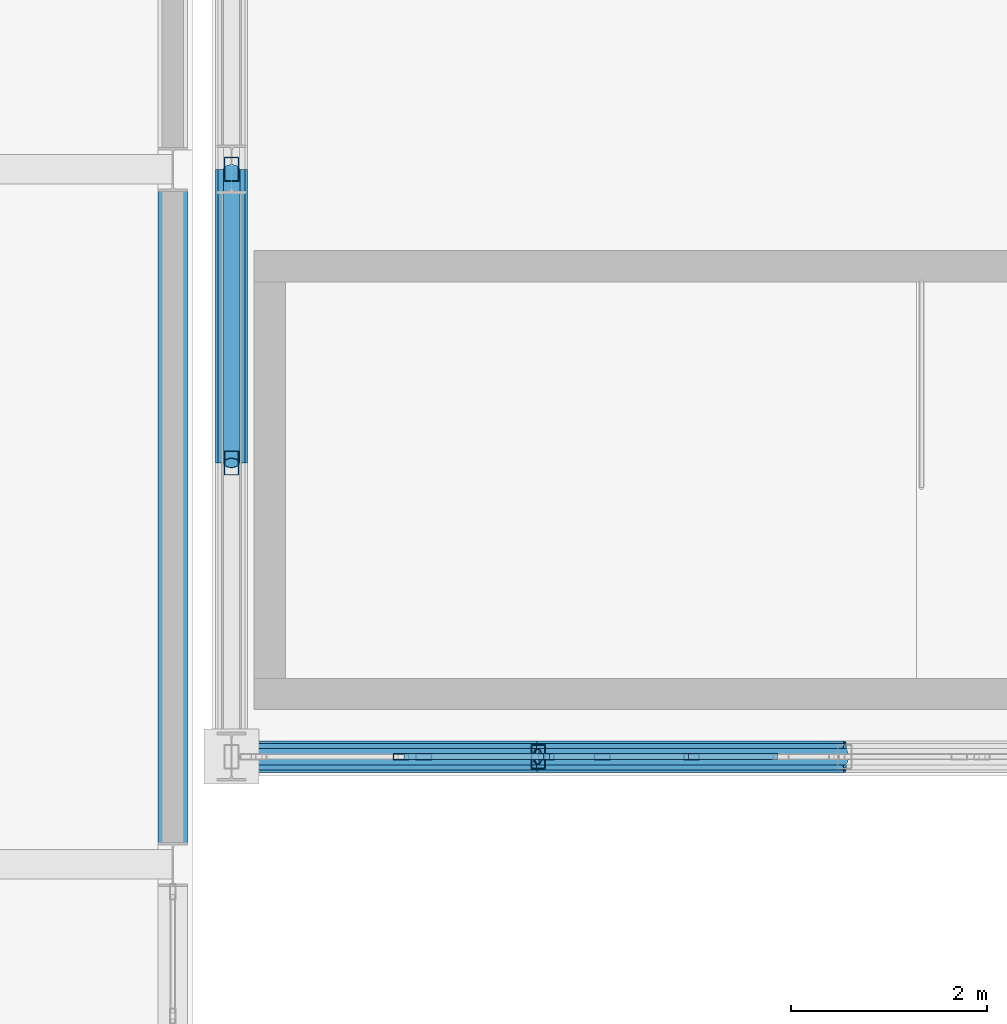
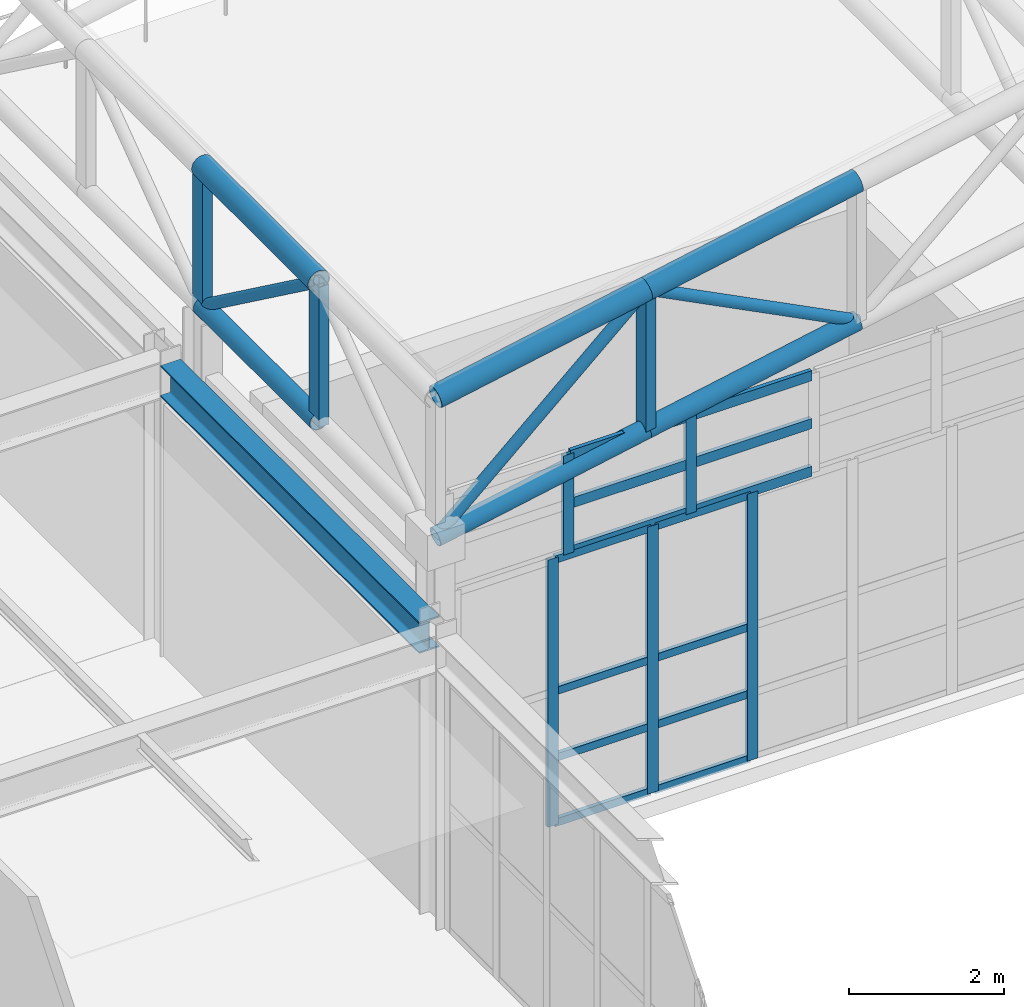
# One storey, part 42 of 112: 31 members, 1 beam, 2 elements without a shape of their own.
"""IFC4 building model written with IfcOpenShell, lengths in metres."""

from ifc_helpers import new_model, si_unit, direction, frame, origin, origin_2d, place, context, subcontext, project, spatial, hollow_rectangle, hollow_circle, i_section, extrude, material, material_profile, profile_set, type_object, element, aggregate, save


model = new_model("IFC4")

# Units and contexts
model_context = context("Model", 3, precision=1e-05, world=origin(), true_north=direction((0.0, 1.0)))
body_context = subcontext(model_context, "Body", "Model", "MODEL_VIEW")
ifc_project = project(units=[si_unit("LENGTHUNIT", "METRE"), si_unit("AREAUNIT", "SQUARE_METRE"), si_unit("VOLUMEUNIT", "CUBIC_METRE"), si_unit("PLANEANGLEUNIT", "RADIAN"), si_unit("MASSUNIT", "GRAM", prefix="KILO")], contexts=[model_context])

# Site, building, storey
site_placement = place(None, origin())
site = spatial("IfcSite", under=ifc_project, at=site_placement, CompositionType="ELEMENT")
building_placement = place(site_placement, origin())
building = spatial("IfcBuilding", under=site, at=building_placement, Name="Kaldris Quays Convention Centre", CompositionType="ELEMENT")
storey_placement = place(building_placement, frame((0.0, 0.0, 16.800048828125)))
storey = spatial("IfcBuildingStorey", under=building, at=storey_placement, Name="L03", CompositionType="ELEMENT", Elevation=16.800048828125)

# Curtain wall, members
ifc_material_1 = material(Name="Anodized aluminium AW-6060 and triple glazing", Category="aluminium")
curtain_wall_type_1 = type_object("IfcCurtainWallType", Name="UNITISED CURTAIN WALL CW01", PredefinedType="NOTDEFINED", material=ifc_material_1)
curtain_wall_1_placement = place(storey_placement, origin())
curtain_wall_1 = element("IfcCurtainWall", 1, at=curtain_wall_1_placement, inside=storey, type_object=curtain_wall_type_1, Name="L03 Unitised Curtain Wall CW01 36", PredefinedType="NOTDEFINED")
ifc_material_2 = material(Name="Anodized aluminium AW-6060", Category="aluminium")
ifc_material_profile_1 = material_profile(ifc_material_2, hollow_rectangle(XDim=0.06005859375, YDim=0.159912109375, WallThickness=0.00390625, at=origin_2d()), Name="RHS 160x60x4")
ifc_profile_set_1 = profile_set([ifc_material_profile_1], Name="Anodized aluminium AW-6060")
member_type_1 = type_object("IfcMemberType", Name="CURTAIN MULLION CWM1", PredefinedType="MULLION", material=ifc_profile_set_1)
member_1_placement = place(storey_placement, frame((166.333251953125, 56.0, 0.0), z_axis=(0.0, 0.0, 1.0), x_axis=(0.0, 1.0, 0.0)))
member_1 = element("IfcMember", 2, at=member_1_placement, type_object=member_type_1, Name="CW01 mullion 2", PredefinedType="MULLION", context=body_context, shape_type="SweptSolid", body=[
    extrude(hollow_rectangle(XDim=0.06005859375, YDim=0.159912109375, WallThickness=0.00390625, at=origin_2d()), origin(), (0.0, 0.0, 1.0), 4.199951171875),
])
member_2_placement = place(storey_placement, frame((167.816650390625, 56.0, 0.0), z_axis=(0.0, 0.0, 1.0), x_axis=(0.0, 1.0, 0.0)))
member_2 = element("IfcMember", 3, at=member_2_placement, type_object=member_type_1, Name="CW01 mullion 3", PredefinedType="MULLION", context=body_context, shape_type="SweptSolid", body=[
    extrude(hollow_rectangle(XDim=0.06005859375, YDim=0.159912109375, WallThickness=0.00390625, at=origin_2d()), origin(), (0.0, 0.0, 1.0), 4.199951171875),
])
member_3_placement = place(storey_placement, frame((169.300048828125, 56.0, 0.0), z_axis=(0.0, 0.0, 1.0), x_axis=(0.0, 1.0, 0.0)))
member_3 = element("IfcMember", 4, at=member_3_placement, type_object=member_type_1, Name="CW01 mullion 4", PredefinedType="MULLION", context=body_context, shape_type="SweptSolid", body=[
    extrude(hollow_rectangle(XDim=0.06005859375, YDim=0.159912109375, WallThickness=0.00390625, at=origin_2d()), origin(), (0.0, 0.0, 1.0), 4.199951171875),
])

curtain_wall_type_2 = type_object("IfcCurtainWallType", Name="UNITISED CURTAIN WALL CW05", PredefinedType="NOTDEFINED", material=ifc_material_1)
curtain_wall_2_placement = place(storey_placement, origin())
curtain_wall_2 = element("IfcCurtainWall", 5, at=curtain_wall_2_placement, inside=storey, type_object=curtain_wall_type_2, Name="L03 Unitised Curtain Wall CW05 255", PredefinedType="NOTDEFINED")
member_4_placement = place(storey_placement, frame((166.56396484375, 56.0, 4.195068359375), z_axis=(0.0, 0.0, 1.0), x_axis=(0.0, 1.0, 0.0)))
member_4 = element("IfcMember", 6, at=member_4_placement, type_object=member_type_1, Name="CW05 mullion 2", PredefinedType="MULLION", context=body_context, shape_type="SweptSolid", body=[
    extrude(hollow_rectangle(XDim=0.06005859375, YDim=0.159912109375, WallThickness=0.00390625, at=origin_2d()), origin(), (0.0, 0.0, 1.0), 1.561767578125),
])
member_5_placement = place(storey_placement, frame((168.387939453125, 56.0, 4.195068359375), z_axis=(0.0, 0.0, 1.0), x_axis=(0.0, 1.0, 0.0)))
member_5 = element("IfcMember", 7, at=member_5_placement, type_object=member_type_1, Name="CW05 mullion 3", PredefinedType="MULLION", context=body_context, shape_type="SweptSolid", body=[
    extrude(hollow_rectangle(XDim=0.06005859375, YDim=0.159912109375, WallThickness=0.00390625, at=origin_2d()), origin(), (0.0, 0.0, 1.0), 1.561767578125),
])

# Member
ifc_material_profile_2 = material_profile(ifc_material_2, hollow_rectangle(XDim=0.06005859375, YDim=0.1201171875, WallThickness=0.00390625, at=origin_2d()), Name="RHS 120x60x4")
ifc_profile_set_2 = profile_set([ifc_material_profile_2], Name="Anodized aluminium AW-6060")
member_type_2 = type_object("IfcMemberType", Name="CURTAIN TRANSOM CWT1", PredefinedType="USERDEFINED", material=ifc_profile_set_2)
member_6_placement = place(storey_placement, frame((166.36328125, 56.0, 0.030029296875), z_axis=(1.0, 0.0, 0.0), x_axis=(0.0, 1.0, 0.0)))
member_6 = element("IfcMember", 8, at=member_6_placement, type_object=member_type_2, Name="CW01 transom 2.1", ObjectType="TRANSOM", PredefinedType="USERDEFINED", context=body_context, shape_type="SweptSolid", body=[
    extrude(hollow_rectangle(XDim=0.06005859375, YDim=0.1201171875, WallThickness=0.00390625, at=origin_2d()), origin(), (0.0, 0.0, 1.0), 1.42333984375),
])

member_7_placement = place(storey_placement, frame((166.36328125, 56.0, 1.050048828125), z_axis=(1.0, 0.0, 0.0), x_axis=(0.0, 1.0, 0.0)))
member_7 = element("IfcMember", 9, at=member_7_placement, type_object=member_type_2, Name="CW01 transom 2.2", ObjectType="TRANSOM", PredefinedType="USERDEFINED", context=body_context, shape_type="SweptSolid", body=[
    extrude(hollow_rectangle(XDim=0.06005859375, YDim=0.1201171875, WallThickness=0.00390625, at=origin_2d()), origin(), (0.0, 0.0, 1.0), 1.42333984375),
])

member_8_placement = place(storey_placement, frame((166.36328125, 56.0, 2.099853515625), z_axis=(1.0, 0.0, 0.0), x_axis=(0.0, 1.0, 0.0)))
member_8 = element("IfcMember", 10, at=member_8_placement, type_object=member_type_2, Name="CW01 transom 2.3", ObjectType="TRANSOM", PredefinedType="USERDEFINED", context=body_context, shape_type="SweptSolid", body=[
    extrude(hollow_rectangle(XDim=0.06005859375, YDim=0.1201171875, WallThickness=0.00390625, at=origin_2d()), origin(), (0.0, 0.0, 1.0), 1.42333984375),
])

member_9_placement = place(storey_placement, frame((166.36328125, 56.0, 4.169921875), z_axis=(1.0, 0.0, 0.0), x_axis=(0.0, 1.0, 0.0)))
member_9 = element("IfcMember", 11, at=member_9_placement, type_object=member_type_2, Name="CW01 transom 2.4", ObjectType="TRANSOM", PredefinedType="USERDEFINED", context=body_context, shape_type="SweptSolid", body=[
    extrude(hollow_rectangle(XDim=0.06005859375, YDim=0.1201171875, WallThickness=0.00390625, at=origin_2d()), origin(), (0.0, 0.0, 1.0), 1.42333984375),
])

member_10_placement = place(storey_placement, frame((167.8466796875, 56.0, 0.030029296875), z_axis=(1.0, 0.0, 0.0), x_axis=(0.0, 1.0, 0.0)))
member_10 = element("IfcMember", 12, at=member_10_placement, type_object=member_type_2, Name="CW01 transom 3.1", ObjectType="TRANSOM", PredefinedType="USERDEFINED", context=body_context, shape_type="SweptSolid", body=[
    extrude(hollow_rectangle(XDim=0.06005859375, YDim=0.1201171875, WallThickness=0.00390625, at=origin_2d()), origin(), (0.0, 0.0, 1.0), 1.42333984375),
])

member_11_placement = place(storey_placement, frame((167.8466796875, 56.0, 1.050048828125), z_axis=(1.0, 0.0, 0.0), x_axis=(0.0, 1.0, 0.0)))
member_11 = element("IfcMember", 13, at=member_11_placement, type_object=member_type_2, Name="CW01 transom 3.2", ObjectType="TRANSOM", PredefinedType="USERDEFINED", context=body_context, shape_type="SweptSolid", body=[
    extrude(hollow_rectangle(XDim=0.06005859375, YDim=0.1201171875, WallThickness=0.00390625, at=origin_2d()), origin(), (0.0, 0.0, 1.0), 1.42333984375),
])

member_12_placement = place(storey_placement, frame((167.8466796875, 56.0, 2.099853515625), z_axis=(1.0, 0.0, 0.0), x_axis=(0.0, 1.0, 0.0)))
member_12 = element("IfcMember", 14, at=member_12_placement, type_object=member_type_2, Name="CW01 transom 3.3", ObjectType="TRANSOM", PredefinedType="USERDEFINED", context=body_context, shape_type="SweptSolid", body=[
    extrude(hollow_rectangle(XDim=0.06005859375, YDim=0.1201171875, WallThickness=0.00390625, at=origin_2d()), origin(), (0.0, 0.0, 1.0), 1.42333984375),
])

member_13_placement = place(storey_placement, frame((167.8466796875, 56.0, 4.169921875), z_axis=(1.0, 0.0, 0.0), x_axis=(0.0, 1.0, 0.0)))
member_13 = element("IfcMember", 15, at=member_13_placement, type_object=member_type_2, Name="CW01 transom 3.4", ObjectType="TRANSOM", PredefinedType="USERDEFINED", context=body_context, shape_type="SweptSolid", body=[
    extrude(hollow_rectangle(XDim=0.06005859375, YDim=0.1201171875, WallThickness=0.00390625, at=origin_2d()), origin(), (0.0, 0.0, 1.0), 1.42333984375),
])

aggregate(curtain_wall_1, [member_1, member_2, member_3, member_6, member_7, member_8, member_9, member_10, member_11, member_12, member_13])

ifc_material_profile_3 = material_profile(ifc_material_2, hollow_rectangle(XDim=0.06005859375, YDim=0.159912109375, WallThickness=0.00390625, at=origin_2d()), Name="RHS 160x60x4")
ifc_profile_set_3 = profile_set([ifc_material_profile_3], Name="Anodized aluminium AW-6060")
member_type_3 = type_object("IfcMemberType", Name="CURTAIN TRANSOM CWT2", PredefinedType="USERDEFINED", material=ifc_profile_set_3)
member_14_placement = place(storey_placement, frame((166.593994140625, 56.0, 4.224853515625), z_axis=(1.0, 0.0, 0.0), x_axis=(0.0, 1.0, 0.0)))
member_14 = element("IfcMember", 16, at=member_14_placement, type_object=member_type_3, Name="CW05 transom 2.1", ObjectType="TRANSOM", PredefinedType="USERDEFINED", context=body_context, shape_type="SweptSolid", body=[
    extrude(hollow_rectangle(XDim=0.06005859375, YDim=0.159912109375, WallThickness=0.00390625, at=origin_2d()), origin(), (0.0, 0.0, 1.0), 1.763916015625),
])

member_15_placement = place(storey_placement, frame((166.593994140625, 56.0, 4.975830078125), z_axis=(1.0, 0.0, 0.0), x_axis=(0.0, 1.0, 0.0)))
member_15 = element("IfcMember", 17, at=member_15_placement, type_object=member_type_3, Name="CW05 transom 2.2", ObjectType="TRANSOM", PredefinedType="USERDEFINED", context=body_context, shape_type="SweptSolid", body=[
    extrude(hollow_rectangle(XDim=0.06005859375, YDim=0.159912109375, WallThickness=0.00390625, at=origin_2d()), origin(), (0.0, 0.0, 1.0), 1.763916015625),
])

member_16_placement = place(storey_placement, frame((166.593994140625, 56.0, 5.72705078125), z_axis=(1.0, 0.0, 0.0), x_axis=(0.0, 1.0, 0.0)))
member_16 = element("IfcMember", 18, at=member_16_placement, type_object=member_type_3, Name="CW05 transom 2.3", ObjectType="TRANSOM", PredefinedType="USERDEFINED", context=body_context, shape_type="SweptSolid", body=[
    extrude(hollow_rectangle(XDim=0.06005859375, YDim=0.159912109375, WallThickness=0.00390625, at=origin_2d()), origin(), (0.0, 0.0, 1.0), 1.763916015625),
])

member_17_placement = place(storey_placement, frame((168.41796875, 56.0, 4.224853515625), z_axis=(1.0, 0.0, 0.0), x_axis=(0.0, 1.0, 0.0)))
member_17 = element("IfcMember", 19, at=member_17_placement, type_object=member_type_3, Name="CW05 transom 3.1", ObjectType="TRANSOM", PredefinedType="USERDEFINED", context=body_context, shape_type="SweptSolid", body=[
    extrude(hollow_rectangle(XDim=0.06005859375, YDim=0.159912109375, WallThickness=0.00390625, at=origin_2d()), origin(), (0.0, 0.0, 1.0), 1.763916015625),
])

member_18_placement = place(storey_placement, frame((168.41796875, 56.0, 4.975830078125), z_axis=(1.0, 0.0, 0.0), x_axis=(0.0, 1.0, 0.0)))
member_18 = element("IfcMember", 20, at=member_18_placement, type_object=member_type_3, Name="CW05 transom 3.2", ObjectType="TRANSOM", PredefinedType="USERDEFINED", context=body_context, shape_type="SweptSolid", body=[
    extrude(hollow_rectangle(XDim=0.06005859375, YDim=0.159912109375, WallThickness=0.00390625, at=origin_2d()), origin(), (0.0, 0.0, 1.0), 1.763916015625),
])

member_19_placement = place(storey_placement, frame((168.41796875, 56.0, 5.72705078125), z_axis=(1.0, 0.0, 0.0), x_axis=(0.0, 1.0, 0.0)))
member_19 = element("IfcMember", 21, at=member_19_placement, type_object=member_type_3, Name="CW05 transom 3.3", ObjectType="TRANSOM", PredefinedType="USERDEFINED", context=body_context, shape_type="SweptSolid", body=[
    extrude(hollow_rectangle(XDim=0.06005859375, YDim=0.159912109375, WallThickness=0.00390625, at=origin_2d()), origin(), (0.0, 0.0, 1.0), 1.763916015625),
])

aggregate(curtain_wall_2, [member_4, member_5, member_14, member_15, member_16, member_17, member_18, member_19])

# Beam
ifc_material_3 = material(Name="Steel S355J2", Category="steel")
ifc_material_profile_4 = material_profile(ifc_material_3, i_section(OverallWidth=0.300048828125, OverallDepth=0.489990234375, WebThickness=0.011962890625, FlangeThickness=0.02294921875, FilletRadius=0.027099609375, at=origin_2d()), Name="HEA 500")
ifc_profile_set_4 = profile_set([ifc_material_profile_4], Name="Steel S355J2")
beam_type = type_object("IfcBeamType", Name="STRUCTURAL BEAM BM09", PredefinedType="BEAM", material=ifc_profile_set_4)
beam_placement = place(storey_placement, frame((164.0, 55.118896484375, 4.3349609375), z_axis=(0.0, 1.0, 0.0), x_axis=(-1.0, 0.0, 0.0)))
element("IfcBeam", 22, at=beam_placement, inside=storey, type_object=beam_type, Name="L03 Girder BM09 92", PredefinedType="BEAM", context=body_context, shape_type="SweptSolid", body=[
    extrude(i_section(OverallWidth=0.300048828125, OverallDepth=0.489990234375, WebThickness=0.011962890625, FlangeThickness=0.02294921875, FilletRadius=0.027099609375, at=origin_2d()), origin(), (0.0, 0.0, 1.0), 6.662109375),
])

# Members
ifc_material_4 = material(Name="Steel S355J2H", Category="steel")
ifc_material_profile_5 = material_profile(ifc_material_4, hollow_circle(Radius=0.161865234375, WallThickness=0.01611328125, at=origin_2d()), Name="CHS 323.9x16")
ifc_profile_set_5 = profile_set([ifc_material_profile_5], Name="Steel S355J2H")
member_type_4 = type_object("IfcMemberType", Name="STRUCTURAL MEMBER SC03", PredefinedType="CHORD", material=ifc_profile_set_5)
member_20_placement = place(storey_placement, frame((164.60009765625, 56.0, 7.33056640625), z_axis=(0.981908086595, 0.0, 0.189358151342), x_axis=(0.0, 1.0, 0.0)))
element("IfcMember", 23, at=member_20_placement, inside=storey, type_object=member_type_4, Name="SF-V2 Top Chord X 1", PredefinedType="CHORD", context=body_context, shape_type="SweptSolid", body=[
    extrude(hollow_circle(Radius=0.161865234375, WallThickness=0.01611328125, at=origin_2d()), origin(), (0.0, 0.0, 1.0), 3.19091796875),
])
member_21_placement = place(storey_placement, frame((167.7333984375, 56.0, 7.934814453125), z_axis=(0.981893858658, 0.0, 0.189431914761), x_axis=(0.0, 1.0, 0.0)))
element("IfcMember", 24, at=member_21_placement, inside=storey, type_object=member_type_4, Name="SF-V2 Top Chord X 2", PredefinedType="CHORD", context=body_context, shape_type="SweptSolid", body=[
    extrude(hollow_circle(Radius=0.161865234375, WallThickness=0.01611328125, at=origin_2d()), origin(), (0.0, 0.0, 1.0), 3.191162109375),
])
member_22_placement = place(storey_placement, frame((164.60009765625, 59.0, 7.33056640625), z_axis=(0.0, 1.0, 0.0), x_axis=(-1.0, 0.0, 0.0)))
element("IfcMember", 25, at=member_22_placement, inside=storey, type_object=member_type_4, Name="SF-V2 Top Chord Y 77", PredefinedType="CHORD", context=body_context, shape_type="SweptSolid", body=[
    extrude(hollow_circle(Radius=0.161865234375, WallThickness=0.01611328125, at=origin_2d()), origin(), (0.0, 0.0, 1.0), 3.0),
])
ifc_material_profile_6 = material_profile(ifc_material_4, hollow_circle(Radius=0.136474609375, WallThickness=0.012451171875, at=origin_2d()), Name="CHS 273x12.5")
ifc_profile_set_6 = profile_set([ifc_material_profile_6], Name="Steel S355J2H")
member_type_5 = type_object("IfcMemberType", Name="STRUCTURAL MEMBER SC04", PredefinedType="CHORD", material=ifc_profile_set_6)
for number, where, z_axis, x_axis, name in (
    (26, (164.60009765625, 56.0, 5.13037109375), (0.981893858658, 0.0, 0.189431914761), (0.0, 1.0, 0.0), "SF-V2 Bottom Chord X 1"),
    (27, (167.7333984375, 56.0, 5.73486328125), (0.981893858658, 0.0, 0.189431914761), (0.0, 1.0, 0.0), "SF-V2 Bottom Chord X 2"),
):
    element("IfcMember", number, at=place(storey_placement, frame(where, z_axis=z_axis, x_axis=x_axis)), inside=storey, type_object=member_type_5, Name=name, PredefinedType="CHORD", context=body_context, shape_type="SweptSolid", body=[
        extrude(hollow_circle(Radius=0.136474609375, WallThickness=0.012451171875, at=origin_2d()), origin(), (0.0, 0.0, 1.0), 3.191162109375),
    ])
member_23_placement = place(storey_placement, frame((164.60009765625, 59.0, 5.13037109375), z_axis=(0.0, 1.0, 0.0), x_axis=(-1.0, 0.0, 0.0)))
element("IfcMember", 28, at=member_23_placement, inside=storey, type_object=member_type_5, Name="SF-V2 Bottom Chord Y 77", PredefinedType="CHORD", context=body_context, shape_type="SweptSolid", body=[
    extrude(hollow_circle(Radius=0.136474609375, WallThickness=0.012451171875, at=origin_2d()), origin(), (0.0, 0.0, 1.0), 3.0),
])
ifc_material_profile_7 = material_profile(ifc_material_4, hollow_circle(Radius=0.084228515625, WallThickness=0.008056640625, at=origin_2d()), Name="CHS 168.3x8")
ifc_profile_set_7 = profile_set([ifc_material_profile_7], Name="Steel S355J2H")
member_type_6 = type_object("IfcMemberType", Name="STRUCTURAL MEMBER SWB2", PredefinedType="BRACE", material=ifc_profile_set_7)
member_24_placement = place(storey_placement, frame((164.60009765625, 56.0, 5.13037109375), z_axis=(0.745127417967, 0.0, 0.666922132631), x_axis=(0.0, 1.0, 0.0)))
element("IfcMember", 29, at=member_24_placement, inside=storey, type_object=member_type_6, Name="SF-V2 Web Diagonal X 1", PredefinedType="BRACE", context=body_context, shape_type="SweptSolid", body=[
    extrude(hollow_circle(Radius=0.084228515625, WallThickness=0.008056640625, at=origin_2d()), origin(), (0.0, 0.0, 1.0), 4.205078125),
])
member_25_placement = place(storey_placement, frame((170.86669921875, 56.0, 6.33935546875), z_axis=(-0.891125852246, 0.0, 0.453756229112), x_axis=(0.0, -1.0, 0.0)))
element("IfcMember", 30, at=member_25_placement, inside=storey, type_object=member_type_6, Name="SF-V2 Web Diagonal X 2", PredefinedType="BRACE", context=body_context, shape_type="SweptSolid", body=[
    extrude(hollow_circle(Radius=0.084228515625, WallThickness=0.008056640625, at=origin_2d()), origin(), (0.0, 0.0, 1.0), 3.51611328125),
])
member_26_placement = place(storey_placement, frame((164.60009765625, 62.0, 5.13037109375), z_axis=(0.0, -0.806379959628, 0.591397802423), x_axis=(1.0, 0.0, 0.0)))
element("IfcMember", 31, at=member_26_placement, inside=storey, type_object=member_type_6, Name="SF-V2 Web Diagonal Y 77", PredefinedType="BRACE", context=body_context, shape_type="SweptSolid", body=[
    extrude(hollow_circle(Radius=0.084228515625, WallThickness=0.008056640625, at=origin_2d()), origin(), (0.0, 0.0, 1.0), 3.72021484375),
])
ifc_material_profile_8 = material_profile(ifc_material_4, hollow_rectangle(XDim=0.14990234375, YDim=0.25, WallThickness=0.010009765625, at=origin_2d()), Name="RHS 250x150x10")
ifc_profile_set_8 = profile_set([ifc_material_profile_8], Name="Steel S355J2H")
member_type_7 = type_object("IfcMemberType", Name="STRUCTURAL MEMBER TTV1", PredefinedType="POST", material=ifc_profile_set_8)
member_27_placement = place(storey_placement, frame((164.60009765625, 59.0, 5.13037109375), z_axis=(0.0, 0.0, 1.0), x_axis=(1.0, 0.0, 0.0)))
element("IfcMember", 32, at=member_27_placement, inside=storey, type_object=member_type_7, Name="SF-V2 Space-Frame Post 2", PredefinedType="POST", context=body_context, shape_type="SweptSolid", body=[
    extrude(hollow_rectangle(XDim=0.14990234375, YDim=0.25, WallThickness=0.010009765625, at=origin_2d()), origin(), (0.0, 0.0, 1.0), 2.2001953125),
])
member_28_placement = place(storey_placement, frame((164.60009765625, 62.0, 4.993896484375), z_axis=(0.0, 0.0, 1.0), x_axis=(1.0, 0.0, 0.0)))
element("IfcMember", 33, at=member_28_placement, inside=storey, type_object=member_type_7, Name="SF-V2 Space-Frame Post 3", PredefinedType="POST", context=body_context, shape_type="SweptSolid", body=[
    extrude(hollow_rectangle(XDim=0.14990234375, YDim=0.25, WallThickness=0.010009765625, at=origin_2d()), origin(), (0.0, 0.0, 1.0), 2.336669921875),
])
member_29_placement = place(storey_placement, frame((167.73291015625, 56.0, 5.73486328125), z_axis=(0.0, 0.0, 1.0), x_axis=(1.0, 0.0, 0.0)))
element("IfcMember", 34, at=member_29_placement, inside=storey, type_object=member_type_7, Name="SF-V2 Space-Frame Post 18", PredefinedType="POST", context=body_context, shape_type="SweptSolid", body=[
    extrude(hollow_rectangle(XDim=0.14990234375, YDim=0.25, WallThickness=0.010009765625, at=origin_2d()), origin(), (0.0, 0.0, 1.0), 2.199951171875),
])

save(model, "model.ifc")
